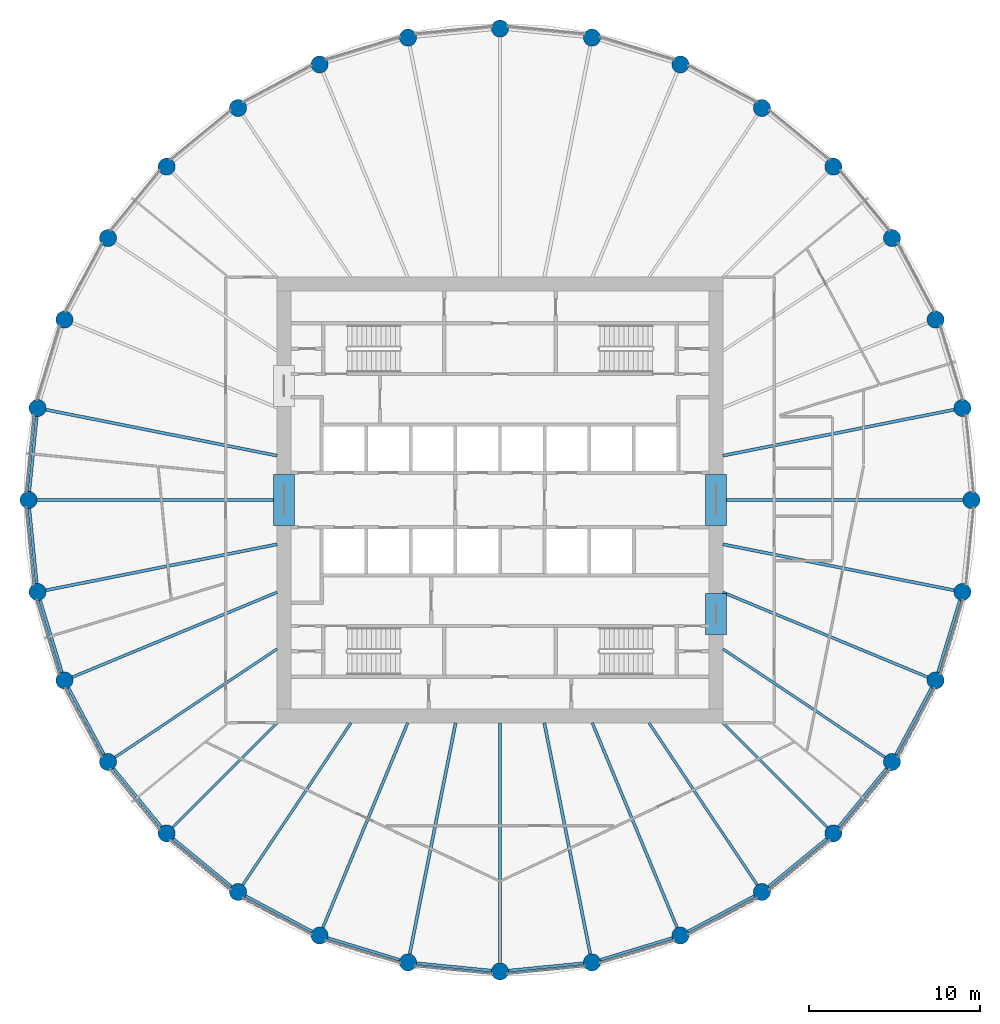
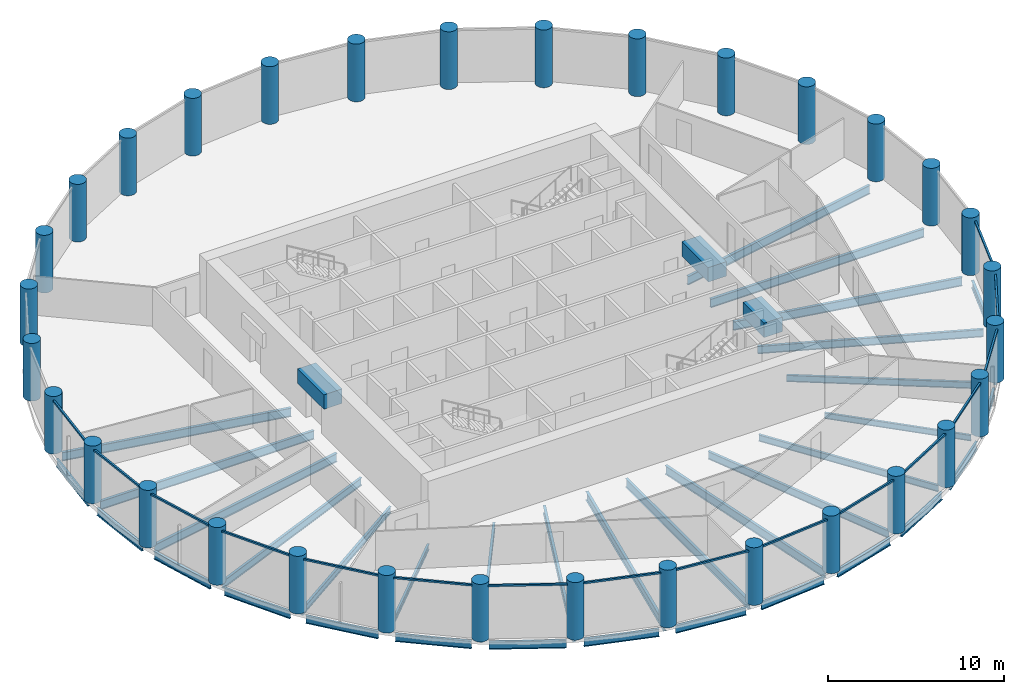
# One storey, part 1 of 8: 38 beams, 32 columns, 16 members, 16 elements without a shape of their own.
"""IFC4 building model written with IfcOpenShell, lengths in metres."""

from ifc_helpers import new_model, si_unit, direction, frame, origin, origin_2d, place, context, subcontext, project, spatial, rectangle, circle, i_section, extrude, material, material_profile, profile_set, type_object, element, aggregate, save


model = new_model("IFC4")

# Units and contexts
model_context = context("Model", 3, precision=1e-05, world=origin(), true_north=direction((0.0, 1.0)))
body_context = subcontext(model_context, "Body", "Model", "MODEL_VIEW")
ifc_project = project(units=[si_unit("LENGTHUNIT", "METRE"), si_unit("AREAUNIT", "SQUARE_METRE"), si_unit("VOLUMEUNIT", "CUBIC_METRE"), si_unit("PLANEANGLEUNIT", "RADIAN"), si_unit("MASSUNIT", "GRAM", prefix="KILO")], contexts=[model_context])

# Site, building, storey
site_placement = place(None, origin())
site = spatial("IfcSite", under=ifc_project, at=site_placement, CompositionType="ELEMENT")
building_placement = place(site_placement, origin())
building = spatial("IfcBuilding", under=site, at=building_placement, Name="Corvane Civic Tower", CompositionType="ELEMENT")
storey_placement = place(building_placement, frame((0.0, 0.0, 213.5)))
storey = spatial("IfcBuildingStorey", under=building, at=storey_placement, Name="L50", CompositionType="ELEMENT", Elevation=213.5)

# Columns
ifc_material_1 = material(Name="Concrete C60/75", Category="concrete")
ifc_material_profile_1 = material_profile(ifc_material_1, circle(Radius=0.5, at=origin_2d()), Name="COLUMN 1000")
ifc_profile_set_1 = profile_set([ifc_material_profile_1], Name="Concrete C60/75")
column_type = type_object("IfcColumnType", Name="RC COLUMN COLUMN 1000", PredefinedType="COLUMN", material=ifc_profile_set_1)
for number, where, z_axis, x_axis, name in (
    (1, (0.0, 27.5, 0.0), (0.0, 0.0, 1.0), (1.0, 0.0, 0.0), "COL-L50-D01"),
    (2, (5.364990234375, 26.9716796875, 0.0), (0.0, 0.0, 1.0), (1.0, 0.0, 0.0), "COL-L50-D02"),
    (3, (10.523681640625, 25.40673828125, 0.0), (0.0, 0.0, 1.0), (1.0, 0.0, 0.0), "COL-L50-D03"),
    (4, (15.278076171875, 22.865478515625, 0.0), (0.0, 0.0, 1.0), (1.0, 0.0, 0.0), "COL-L50-D04"),
    (5, (19.445556640625, 19.445556640625, 0.0), (0.0, 0.0, 1.0), (1.0, 0.0, 0.0), "COL-L50-D05"),
    (6, (22.865478515625, 15.278076171875, 0.0), (0.0, 0.0, 1.0), (1.0, 0.0, 0.0), "COL-L50-D06"),
    (7, (25.40673828125, 10.523681640625, 0.0), (0.0, 0.0, 1.0), (1.0, 0.0, 0.0), "COL-L50-D07"),
    (8, (26.9716796875, 5.364990234375, 0.0), (0.0, 0.0, 1.0), (1.0, 0.0, 0.0), "COL-L50-D08"),
    (9, (27.5, 0.0, 0.0), (0.0, 0.0, 1.0), (1.0, 0.0, 0.0), "COL-L50-D09"),
    (10, (26.9716796875, -5.364990234375, 0.0), (0.0, 0.0, 1.0), (1.0, 0.0, 0.0), "COL-L50-D10"),
    (11, (25.40673828125, -10.523681640625, 0.0), (0.0, 0.0, 1.0), (1.0, 0.0, 0.0), "COL-L50-D11"),
    (12, (22.865478515625, -15.278076171875, 0.0), (0.0, 0.0, 1.0), (1.0, 0.0, 0.0), "COL-L50-D12"),
    (13, (19.445556640625, -19.445556640625, 0.0), (0.0, 0.0, 1.0), (1.0, 0.0, 0.0), "COL-L50-D13"),
    (14, (15.278076171875, -22.865478515625, 0.0), (0.0, 0.0, 1.0), (1.0, 0.0, 0.0), "COL-L50-D14"),
    (15, (10.523681640625, -25.40673828125, 0.0), (0.0, 0.0, 1.0), (1.0, 0.0, 0.0), "COL-L50-D15"),
    (16, (5.364990234375, -26.9716796875, 0.0), (0.0, 0.0, 1.0), (1.0, 0.0, 0.0), "COL-L50-D16"),
    (17, (0.0, -27.5, 0.0), (0.0, 0.0, 1.0), (1.0, 0.0, 0.0), "COL-L50-D17"),
    (18, (-5.364990234375, -26.9716796875, 0.0), (0.0, 0.0, 1.0), (1.0, 0.0, 0.0), "COL-L50-D18"),
    (19, (-10.523681640625, -25.40673828125, 0.0), (0.0, 0.0, 1.0), (1.0, 0.0, 0.0), "COL-L50-D19"),
    (20, (-15.278076171875, -22.865478515625, 0.0), (0.0, 0.0, 1.0), (1.0, 0.0, 0.0), "COL-L50-D20"),
    (21, (-19.445556640625, -19.445556640625, 0.0), (0.0, 0.0, 1.0), (1.0, 0.0, 0.0), "COL-L50-D21"),
    (22, (-22.865478515625, -15.278076171875, 0.0), (0.0, 0.0, 1.0), (1.0, 0.0, 0.0), "COL-L50-D22"),
    (23, (-25.40673828125, -10.523681640625, 0.0), (0.0, 0.0, 1.0), (1.0, 0.0, 0.0), "COL-L50-D23"),
    (24, (-26.9716796875, -5.364990234375, 0.0), (0.0, 0.0, 1.0), (1.0, 0.0, 0.0), "COL-L50-D24"),
    (25, (-27.5, 0.0, 0.0), (0.0, 0.0, 1.0), (1.0, 0.0, 0.0), "COL-L50-D25"),
    (26, (-26.9716796875, 5.364990234375, 0.0), (0.0, 0.0, 1.0), (1.0, 0.0, 0.0), "COL-L50-D26"),
    (27, (-25.40673828125, 10.523681640625, 0.0), (0.0, 0.0, 1.0), (1.0, 0.0, 0.0), "COL-L50-D27"),
    (28, (-22.865478515625, 15.278076171875, 0.0), (0.0, 0.0, 1.0), (1.0, 0.0, 0.0), "COL-L50-D28"),
    (29, (-19.445556640625, 19.445556640625, 0.0), (0.0, 0.0, 1.0), (1.0, 0.0, 0.0), "COL-L50-D29"),
    (30, (-15.278076171875, 22.865478515625, 0.0), (0.0, 0.0, 1.0), (1.0, 0.0, 0.0), "COL-L50-D30"),
    (31, (-10.523681640625, 25.40673828125, 0.0), (0.0, 0.0, 1.0), (1.0, 0.0, 0.0), "COL-L50-D31"),
    (32, (-5.364990234375, 26.9716796875, 0.0), (0.0, 0.0, 1.0), (1.0, 0.0, 0.0), "COL-L50-D32"),
):
    element("IfcColumn", number, at=place(storey_placement, frame(where, z_axis=z_axis, x_axis=x_axis)), inside=storey, type_object=column_type, Name=name, PredefinedType="COLUMN", context=body_context, shape_type="SweptSolid", body=[
        extrude(circle(Radius=0.5, at=origin_2d()), origin(), (0.0, 0.0, 1.0), 4.0),
    ])

# Beams
ifc_material_2 = material(Name="Concrete C50/60", Category="concrete")
ifc_material_profile_2 = material_profile(ifc_material_2, rectangle(XDim=1.199951171875, YDim=1.0, at=origin_2d()), Name="COUPLING BEAM 1200X1000")
ifc_profile_set_2 = profile_set([ifc_material_profile_2], Name="Concrete C50/60")
beam_type_1 = type_object("IfcBeamType", Name="COUPLING BEAM COUPLING BEAM 1200X1000", PredefinedType="BEAM", material=ifc_profile_set_2)
for number, where, z_axis, x_axis, name in (
    (33, (-12.60009765625, -1.5, 2.60009765625), (0.0, 1.0, 0.0), (-1.0, 0.0, 0.0), "BM-L50-cpl-CW-LW"),
    (34, (12.60009765625, -1.5, 2.60009765625), (0.0, 1.0, 0.0), (-1.0, 0.0, 0.0), "BM-L50-cpl-CW-LE"),
):
    element("IfcBeam", number, at=place(storey_placement, frame(where, z_axis=z_axis, x_axis=x_axis)), inside=storey, type_object=beam_type_1, Name=name, PredefinedType="BEAM", context=body_context, shape_type="SweptSolid", body=[
        extrude(rectangle(XDim=1.199951171875, YDim=1.0, at=origin_2d()), origin(), (0.0, 0.0, 1.0), 3.0),
    ])
beam_1_placement = place(storey_placement, frame((12.60009765625, -7.85009765625, 2.60009765625), z_axis=(0.0, 1.0, 0.0), x_axis=(-1.0, 0.0, 0.0)))
element("IfcBeam", 35, at=beam_1_placement, inside=storey, type_object=beam_type_1, Name="BM-L50-cpl-CW-ES", PredefinedType="BEAM", context=body_context, shape_type="SweptSolid", body=[
    extrude(rectangle(XDim=1.199951171875, YDim=1.0, at=origin_2d()), origin(), (0.0, 0.0, 1.0), 2.400146484375),
])
ifc_material_3 = material(Name="Steel ASTM A992 Gr 50", Category="steel")
ifc_material_profile_3 = material_profile(ifc_material_3, i_section(OverallWidth=0.165771484375, OverallDepth=0.5283203125, WebThickness=0.009765625, FlangeThickness=0.013671875, at=origin_2d()), Name="W21X50")
ifc_profile_set_3 = profile_set([ifc_material_profile_3], Name="Steel ASTM A992 Gr 50")
beam_type_2 = type_object("IfcBeamType", Name="EDGE BEAM W21X50", PredefinedType="BEAM", material=ifc_profile_set_3)
beam_2_placement = place(storey_placement, frame((26.826416015625, -5.843505859375, -0.564208984375), z_axis=(-0.290254307888, -0.956949547653, 0.0), x_axis=(0.956949547653, -0.290254307888, 0.0)))
element("IfcBeam", 36, at=beam_2_placement, inside=storey, type_object=beam_type_2, Name="BM-L50-E10", PredefinedType="BEAM", context=body_context, shape_type="SweptSolid", body=[
    extrude(i_section(OverallWidth=0.165771484375, OverallDepth=0.5283203125, WebThickness=0.009765625, FlangeThickness=0.013671875, at=origin_2d()), origin(), (0.0, 0.0, 1.0), 4.390625),
])
for number, where, z_axis, x_axis, name in (
    (37, (25.171142578125, -10.964599609375, -0.564208984375), (-0.471422006704, -0.881907756852, 0.0), (0.881907756852, -0.471422006704, 0.0), "BM-L50-E11"),
    (38, (22.54833984375, -15.66455078125, -0.564208984375), (-0.634369433447, -0.773030026524, 0.0), (0.773030026524, -0.634369433447, 0.0), "BM-L50-E12"),
    (39, (19.05908203125, -19.7626953125, -0.564208984375), (-0.773030026524, -0.634369433447, 0.0), (0.634369433447, -0.773030026524, 0.0), "BM-L50-E13"),
    (40, (14.837158203125, -23.10107421875, -0.564208984375), (-0.881907756852, -0.471422006704, 0.0), (0.471422006704, -0.881907756852, 0.0), "BM-L50-E14"),
):
    element("IfcBeam", number, at=place(storey_placement, frame(where, z_axis=z_axis, x_axis=x_axis)), inside=storey, type_object=beam_type_2, Name=name, PredefinedType="BEAM", context=body_context, shape_type="SweptSolid", body=[
        extrude(i_section(OverallWidth=0.165771484375, OverallDepth=0.5283203125, WebThickness=0.009765625, FlangeThickness=0.013671875, at=origin_2d()), origin(), (0.0, 0.0, 1.0), 4.39111328125),
    ])
beam_3_placement = place(storey_placement, frame((10.045166015625, -25.552001953125, -0.564208984375), z_axis=(-0.956949547653, -0.290254307888, 0.0), x_axis=(0.290254307888, -0.956949547653, 0.0)))
element("IfcBeam", 41, at=beam_3_placement, inside=storey, type_object=beam_type_2, Name="BM-L50-E15", PredefinedType="BEAM", context=body_context, shape_type="SweptSolid", body=[
    extrude(i_section(OverallWidth=0.165771484375, OverallDepth=0.5283203125, WebThickness=0.009765625, FlangeThickness=0.013671875, at=origin_2d()), origin(), (0.0, 0.0, 1.0), 4.390625),
])
for number, where, z_axis, x_axis, name in (
    (42, (4.867431640625, -27.020751953125, -0.564208984375), (-0.995189593769, -0.097967711281, 0.0), (0.097967711281, -0.995189593769, 0.0), "BM-L50-E16"),
    (43, (-0.49755859375, -27.450927734375, -0.564208984375), (-0.995189593769, 0.097967711281, 0.0), (-0.097967711281, -0.995189593769, 0.0), "BM-L50-E17"),
):
    element("IfcBeam", number, at=place(storey_placement, frame(where, z_axis=z_axis, x_axis=x_axis)), inside=storey, type_object=beam_type_2, Name=name, PredefinedType="BEAM", context=body_context, shape_type="SweptSolid", body=[
        extrude(i_section(OverallWidth=0.165771484375, OverallDepth=0.5283203125, WebThickness=0.009765625, FlangeThickness=0.013671875, at=origin_2d()), origin(), (0.0, 0.0, 1.0), 4.39111328125),
    ])
beam_4_placement = place(storey_placement, frame((-5.843505859375, -26.826416015625, -0.564208984375), z_axis=(-0.956949547653, 0.290254307888, 0.0), x_axis=(-0.290254307888, -0.956949547653, 0.0)))
element("IfcBeam", 44, at=beam_4_placement, inside=storey, type_object=beam_type_2, Name="BM-L50-E18", PredefinedType="BEAM", context=body_context, shape_type="SweptSolid", body=[
    extrude(i_section(OverallWidth=0.165771484375, OverallDepth=0.5283203125, WebThickness=0.009765625, FlangeThickness=0.013671875, at=origin_2d()), origin(), (0.0, 0.0, 1.0), 4.390625),
])
for number, where, z_axis, x_axis, name in (
    (45, (-10.964599609375, -25.171142578125, -0.564208984375), (-0.881907756852, 0.471422006704, 0.0), (-0.471422006704, -0.881907756852, 0.0), "BM-L50-E19"),
    (46, (-15.66455078125, -22.54833984375, -0.564208984375), (-0.773030026524, 0.634369433447, 0.0), (-0.634369433447, -0.773030026524, 0.0), "BM-L50-E20"),
    (47, (-19.7626953125, -19.05908203125, -0.564208984375), (-0.634369433447, 0.773030026524, 0.0), (-0.773030026524, -0.634369433447, 0.0), "BM-L50-E21"),
    (48, (-23.10107421875, -14.837158203125, -0.564208984375), (-0.471422006704, 0.881907756852, 0.0), (-0.881907756852, -0.471422006704, 0.0), "BM-L50-E22"),
):
    element("IfcBeam", number, at=place(storey_placement, frame(where, z_axis=z_axis, x_axis=x_axis)), inside=storey, type_object=beam_type_2, Name=name, PredefinedType="BEAM", context=body_context, shape_type="SweptSolid", body=[
        extrude(i_section(OverallWidth=0.165771484375, OverallDepth=0.5283203125, WebThickness=0.009765625, FlangeThickness=0.013671875, at=origin_2d()), origin(), (0.0, 0.0, 1.0), 4.39111328125),
    ])
beam_5_placement = place(storey_placement, frame((-25.552001953125, -10.045166015625, -0.564208984375), z_axis=(-0.290254307888, 0.956949547653, 0.0), x_axis=(-0.956949547653, -0.290254307888, 0.0)))
element("IfcBeam", 49, at=beam_5_placement, inside=storey, type_object=beam_type_2, Name="BM-L50-E23", PredefinedType="BEAM", context=body_context, shape_type="SweptSolid", body=[
    extrude(i_section(OverallWidth=0.165771484375, OverallDepth=0.5283203125, WebThickness=0.009765625, FlangeThickness=0.013671875, at=origin_2d()), origin(), (0.0, 0.0, 1.0), 4.390625),
])
for number, where, z_axis, x_axis, name in (
    (50, (-27.020751953125, -4.867431640625, -0.564208984375), (-0.097967711281, 0.995189593769, 0.0), (-0.995189593769, -0.097967711281, 0.0), "BM-L50-E24"),
    (51, (-27.450927734375, 0.49755859375, -0.564208984375), (0.097967711281, 0.995189593769, 0.0), (-0.995189593769, 0.097967711281, 0.0), "BM-L50-E25"),
):
    element("IfcBeam", number, at=place(storey_placement, frame(where, z_axis=z_axis, x_axis=x_axis)), inside=storey, type_object=beam_type_2, Name=name, PredefinedType="BEAM", context=body_context, shape_type="SweptSolid", body=[
        extrude(i_section(OverallWidth=0.165771484375, OverallDepth=0.5283203125, WebThickness=0.009765625, FlangeThickness=0.013671875, at=origin_2d()), origin(), (0.0, 0.0, 1.0), 4.39111328125),
    ])
ifc_material_4 = material(Name="Steel ASTM A992 Gr 50", Category="steel")
ifc_material_profile_4 = material_profile(ifc_material_4, i_section(OverallWidth=0.140380859375, OverallDepth=0.40380859375, WebThickness=0.007080078125, FlangeThickness=0.01123046875, at=origin_2d()), Name="W16X31")
ifc_profile_set_4 = profile_set([ifc_material_profile_4], Name="Steel ASTM A992 Gr 50")
beam_type_3 = type_object("IfcBeamType", Name="FLOOR GIRDER W16X31", PredefinedType="BEAM", material=ifc_profile_set_4)
for number, where, z_axis, x_axis, name in (
    (52, (13.0, -13.0, -0.501953125), (0.707106781187, -0.707106781187, 0.0), (0.707106781187, 0.707106781187, 0.0), "BM-L50-G13"),
    (53, (-13.0, -13.0, -0.501953125), (-0.707106781187, -0.707106781187, 0.0), (0.707106781187, -0.707106781187, 0.0), "BM-L50-G21"),
):
    element("IfcBeam", number, at=place(storey_placement, frame(where, z_axis=z_axis, x_axis=x_axis)), inside=storey, type_object=beam_type_3, Name=name, PredefinedType="BEAM", context=body_context, shape_type="SweptSolid", body=[
        extrude(i_section(OverallWidth=0.140380859375, OverallDepth=0.40380859375, WebThickness=0.007080078125, FlangeThickness=0.01123046875, at=origin_2d()), origin(), (0.0, 0.0, 1.0), 8.614990234375),
    ])
ifc_material_5 = material(Name="Steel ASTM A992 Gr 50", Category="steel")
ifc_material_profile_5 = material_profile(ifc_material_5, i_section(OverallWidth=0.15283203125, OverallDepth=0.45458984375, WebThickness=0.008056640625, FlangeThickness=0.013427734375, at=origin_2d()), Name="W18X40")
ifc_profile_set_5 = profile_set([ifc_material_profile_5], Name="Steel ASTM A992 Gr 50")
beam_type_4 = type_object("IfcBeamType", Name="FLOOR GIRDER W18X40", PredefinedType="BEAM", material=ifc_profile_set_5)
for number, where, z_axis, x_axis, name in (
    (54, (13.0, -8.686279296875, -0.52734375), (0.831464872557, -0.555577326485, 0.0), (0.555577326485, 0.831464872557, 0.0), "BM-L50-G12"),
    (55, (8.686279296875, -13.0, -0.52734375), (0.555577326485, -0.831464872557, 0.0), (0.831464872557, 0.555577326485, 0.0), "BM-L50-G14"),
    (56, (-8.686279296875, -13.0, -0.52734375), (-0.555577326485, -0.831464872557, 0.0), (0.831464872557, -0.555577326485, 0.0), "BM-L50-G20"),
    (57, (-13.0, -8.686279296875, -0.52734375), (-0.831464872557, -0.555577326485, 0.0), (0.555577326485, -0.831464872557, 0.0), "BM-L50-G22"),
):
    element("IfcBeam", number, at=place(storey_placement, frame(where, z_axis=z_axis, x_axis=x_axis)), inside=storey, type_object=beam_type_4, Name=name, PredefinedType="BEAM", context=body_context, shape_type="SweptSolid", body=[
        extrude(i_section(OverallWidth=0.15283203125, OverallDepth=0.45458984375, WebThickness=0.008056640625, FlangeThickness=0.013427734375, at=origin_2d()), origin(), (0.0, 0.0, 1.0), 11.365234375),
    ])
ifc_material_6 = material(Name="Steel ASTM A992 Gr 50", Category="steel")
ifc_material_profile_6 = material_profile(ifc_material_6, i_section(OverallWidth=0.165771484375, OverallDepth=0.5283203125, WebThickness=0.009765625, FlangeThickness=0.013671875, at=origin_2d()), Name="W21X50")
ifc_profile_set_6 = profile_set([ifc_material_profile_6], Name="Steel ASTM A992 Gr 50")
beam_type_5 = type_object("IfcBeamType", Name="FLOOR GIRDER W21X50", PredefinedType="BEAM", material=ifc_profile_set_6)
for number, where, z_axis, x_axis, name in (
    (58, (13.0, -5.384765625, -0.564208984375), (0.923878282404, -0.382686450378, 0.0), (0.382686450378, 0.923878282404, 0.0), "BM-L50-G11"),
    (59, (5.384765625, -13.0, -0.564208984375), (0.382686450378, -0.923878282404, 0.0), (0.923878282404, 0.382686450378, 0.0), "BM-L50-G15"),
    (60, (-5.384765625, -13.0, -0.564208984375), (-0.382686450378, -0.923878282404, 0.0), (0.923878282404, -0.382686450378, 0.0), "BM-L50-G19"),
    (61, (-13.0, -5.384765625, -0.564208984375), (-0.923878282404, -0.382686450378, 0.0), (0.382686450378, -0.923878282404, 0.0), "BM-L50-G23"),
):
    element("IfcBeam", number, at=place(storey_placement, frame(where, z_axis=z_axis, x_axis=x_axis)), inside=storey, type_object=beam_type_5, Name=name, PredefinedType="BEAM", context=body_context, shape_type="SweptSolid", body=[
        extrude(i_section(OverallWidth=0.165771484375, OverallDepth=0.5283203125, WebThickness=0.009765625, FlangeThickness=0.013671875, at=origin_2d()), origin(), (0.0, 0.0, 1.0), 12.928955078125),
    ])
ifc_material_7 = material(Name="Steel ASTM A992 Gr 50", Category="steel")
ifc_material_profile_7 = material_profile(ifc_material_7, i_section(OverallWidth=0.177978515625, OverallDepth=0.599365234375, WebThickness=0.010009765625, FlangeThickness=0.012939453125, at=origin_2d()), Name="W24X55")
ifc_profile_set_7 = profile_set([ifc_material_profile_7], Name="Steel ASTM A992 Gr 50")
beam_type_6 = type_object("IfcBeamType", Name="FLOOR GIRDER W24X55", PredefinedType="BEAM", material=ifc_profile_set_7)
beam_6_placement = place(storey_placement, frame((13.0, 2.5859375, -0.599609375), z_axis=(0.980787802109, 0.195077644118, 0.0), x_axis=(-0.195077644118, 0.980787802109, 0.0)))
element("IfcBeam", 62, at=beam_6_placement, inside=storey, type_object=beam_type_6, Name="BM-L50-G08", PredefinedType="BEAM", context=body_context, shape_type="SweptSolid", body=[
    extrude(i_section(OverallWidth=0.177978515625, OverallDepth=0.599365234375, WebThickness=0.010009765625, FlangeThickness=0.012939453125, at=origin_2d()), origin(), (0.0, 0.0, 1.0), 13.745361328125),
])
beam_7_placement = place(storey_placement, frame((13.0, 0.0, -0.599609375), z_axis=(1.0, 0.0, 0.0), x_axis=(0.0, 1.0, 0.0)))
element("IfcBeam", 63, at=beam_7_placement, inside=storey, type_object=beam_type_6, Name="BM-L50-G09", PredefinedType="BEAM", context=body_context, shape_type="SweptSolid", body=[
    extrude(i_section(OverallWidth=0.177978515625, OverallDepth=0.599365234375, WebThickness=0.010009765625, FlangeThickness=0.012939453125, at=origin_2d()), origin(), (0.0, 0.0, 1.0), 14.0),
])
for number, where, z_axis, x_axis, name in (
    (64, (13.0, -2.5859375, -0.599609375), (0.980787802109, -0.195077644118, 0.0), (0.195077644118, 0.980787802109, 0.0), "BM-L50-G10"),
    (65, (2.5859375, -13.0, -0.599609375), (0.195077644118, -0.980787802109, 0.0), (0.980787802109, 0.195077644118, 0.0), "BM-L50-G16"),
):
    element("IfcBeam", number, at=place(storey_placement, frame(where, z_axis=z_axis, x_axis=x_axis)), inside=storey, type_object=beam_type_6, Name=name, PredefinedType="BEAM", context=body_context, shape_type="SweptSolid", body=[
        extrude(i_section(OverallWidth=0.177978515625, OverallDepth=0.599365234375, WebThickness=0.010009765625, FlangeThickness=0.012939453125, at=origin_2d()), origin(), (0.0, 0.0, 1.0), 13.745361328125),
    ])
beam_8_placement = place(storey_placement, frame((0.0, -13.0, -0.599609375), z_axis=(0.0, -1.0, 0.0), x_axis=(1.0, 0.0, 0.0)))
element("IfcBeam", 66, at=beam_8_placement, inside=storey, type_object=beam_type_6, Name="BM-L50-G17", PredefinedType="BEAM", context=body_context, shape_type="SweptSolid", body=[
    extrude(i_section(OverallWidth=0.177978515625, OverallDepth=0.599365234375, WebThickness=0.010009765625, FlangeThickness=0.012939453125, at=origin_2d()), origin(), (0.0, 0.0, 1.0), 14.0),
])
for number, where, z_axis, x_axis, name in (
    (67, (-2.5859375, -13.0, -0.599609375), (-0.195077644118, -0.980787802109, 0.0), (0.980787802109, -0.195077644118, 0.0), "BM-L50-G18"),
    (68, (-13.0, -2.5859375, -0.599609375), (-0.980787802109, -0.195077644118, 0.0), (0.195077644118, -0.980787802109, 0.0), "BM-L50-G24"),
):
    element("IfcBeam", number, at=place(storey_placement, frame(where, z_axis=z_axis, x_axis=x_axis)), inside=storey, type_object=beam_type_6, Name=name, PredefinedType="BEAM", context=body_context, shape_type="SweptSolid", body=[
        extrude(i_section(OverallWidth=0.177978515625, OverallDepth=0.599365234375, WebThickness=0.010009765625, FlangeThickness=0.012939453125, at=origin_2d()), origin(), (0.0, 0.0, 1.0), 13.745361328125),
    ])
beam_9_placement = place(storey_placement, frame((-13.0, 0.0, -0.599609375), z_axis=(-1.0, 0.0, 0.0), x_axis=(0.0, -1.0, 0.0)))
element("IfcBeam", 69, at=beam_9_placement, inside=storey, type_object=beam_type_6, Name="BM-L50-G25", PredefinedType="BEAM", context=body_context, shape_type="SweptSolid", body=[
    extrude(i_section(OverallWidth=0.177978515625, OverallDepth=0.599365234375, WebThickness=0.010009765625, FlangeThickness=0.012939453125, at=origin_2d()), origin(), (0.0, 0.0, 1.0), 14.0),
])
beam_10_placement = place(storey_placement, frame((-13.0, 2.5859375, -0.599609375), z_axis=(-0.980787802109, 0.195077644118, 0.0), x_axis=(-0.195077644118, -0.980787802109, 0.0)))
element("IfcBeam", 70, at=beam_10_placement, inside=storey, type_object=beam_type_6, Name="BM-L50-G26", PredefinedType="BEAM", context=body_context, shape_type="SweptSolid", body=[
    extrude(i_section(OverallWidth=0.177978515625, OverallDepth=0.599365234375, WebThickness=0.010009765625, FlangeThickness=0.012939453125, at=origin_2d()), origin(), (0.0, 0.0, 1.0), 13.745361328125),
])

# Curtain wall, member
ifc_material_8 = material(Name="Anodised aluminium bronze", Category="aluminium")
curtain_wall_type = type_object("IfcCurtainWallType", Name="TOWER CW-T2 STICK CURTAIN WALL", PredefinedType="NOTDEFINED", material=ifc_material_8)
curtain_wall_1_placement = place(storey_placement, origin())
curtain_wall_1 = element("IfcCurtainWall", 71, at=curtain_wall_1_placement, inside=storey, type_object=curtain_wall_type, Name="Curtain wall CW-T2 L50 bay 10", PredefinedType="NOTDEFINED")
ifc_material_9 = material(Name="Anodised aluminium bronze", Category="aluminium")
ifc_material_profile_8 = material_profile(ifc_material_9, rectangle(XDim=0.1201171875, YDim=0.1201171875, at=origin_2d()), Name="TOWER CW-T2 TRANSOM 120x120")
ifc_profile_set_8 = profile_set([ifc_material_profile_8], Name="Anodised aluminium bronze")
member_type = type_object("IfcMemberType", Name="TOWER CW-T2 TRANSOM 120x120", PredefinedType="USERDEFINED", material=ifc_profile_set_8)
member_1_placement = place(storey_placement, frame((27.016357421875, -5.8349609375, 3.68994140625), z_axis=(-0.2902818869, -0.956941182173, 0.0), x_axis=(0.956941182173, -0.2902818869, 0.0)))
member_1 = element("IfcMember", 72, at=member_1_placement, type_object=member_type, Name="Transom CW-T2 L50 10.1", ObjectType="TRANSOM", PredefinedType="USERDEFINED", context=body_context, shape_type="SweptSolid", body=[
    extrude(rectangle(XDim=0.1201171875, YDim=0.1201171875, at=origin_2d()), origin(), (0.0, 0.0, 1.0), 4.517333984375),
])
aggregate(curtain_wall_1, [member_1])

curtain_wall_2_placement = place(storey_placement, origin())
curtain_wall_2 = element("IfcCurtainWall", 73, at=curtain_wall_2_placement, inside=storey, type_object=curtain_wall_type, Name="Curtain wall CW-T2 L50 bay 11", PredefinedType="NOTDEFINED")
member_2_placement = place(storey_placement, frame((25.35888671875, -10.993408203125, 3.68994140625), z_axis=(-0.471390317183, -0.881924695689, 0.0), x_axis=(0.881924695689, -0.471390317183, 0.0)))
member_2 = element("IfcMember", 74, at=member_2_placement, type_object=member_type, Name="Transom CW-T2 L50 11.1", ObjectType="TRANSOM", PredefinedType="USERDEFINED", context=body_context, shape_type="SweptSolid", body=[
    extrude(rectangle(XDim=0.1201171875, YDim=0.1201171875, at=origin_2d()), origin(), (0.0, 0.0, 1.0), 4.517333984375),
])
aggregate(curtain_wall_2, [member_2])

curtain_wall_3_placement = place(storey_placement, origin())
curtain_wall_3 = element("IfcCurtainWall", 75, at=curtain_wall_3_placement, inside=storey, type_object=curtain_wall_type, Name="Curtain wall CW-T2 L50 bay 12", PredefinedType="NOTDEFINED")
member_3_placement = place(storey_placement, frame((22.726806640625, -15.7294921875, 3.68994140625), z_axis=(-0.634387834569, -0.773014925698, 0.0), x_axis=(0.773014925698, -0.634387834569, 0.0)))
member_3 = element("IfcMember", 76, at=member_3_placement, type_object=member_type, Name="Transom CW-T2 L50 12.1", ObjectType="TRANSOM", PredefinedType="USERDEFINED", context=body_context, shape_type="SweptSolid", body=[
    extrude(rectangle(XDim=0.1201171875, YDim=0.1201171875, at=origin_2d()), origin(), (0.0, 0.0, 1.0), 4.517333984375),
])
aggregate(curtain_wall_3, [member_3])

curtain_wall_4_placement = place(storey_placement, origin())
curtain_wall_4 = element("IfcCurtainWall", 77, at=curtain_wall_4_placement, inside=storey, type_object=curtain_wall_type, Name="Curtain wall CW-T2 L50 bay 13", PredefinedType="NOTDEFINED")
member_4_placement = place(storey_placement, frame((19.221435546875, -19.861083984375, 3.68994140625), z_axis=(-0.773014925698, -0.634387834569, 0.0), x_axis=(0.634387834569, -0.773014925698, 0.0)))
member_4 = element("IfcMember", 78, at=member_4_placement, type_object=member_type, Name="Transom CW-T2 L50 13.1", ObjectType="TRANSOM", PredefinedType="USERDEFINED", context=body_context, shape_type="SweptSolid", body=[
    extrude(rectangle(XDim=0.1201171875, YDim=0.1201171875, at=origin_2d()), origin(), (0.0, 0.0, 1.0), 4.517333984375),
])
aggregate(curtain_wall_4, [member_4])

curtain_wall_5_placement = place(storey_placement, origin())
curtain_wall_5 = element("IfcCurtainWall", 79, at=curtain_wall_5_placement, inside=storey, type_object=curtain_wall_type, Name="Curtain wall CW-T2 L50 bay 14", PredefinedType="NOTDEFINED")
member_5_placement = place(storey_placement, frame((14.977294921875, -23.2294921875, 3.68994140625), z_axis=(-0.881924695689, -0.471390317183, 0.0), x_axis=(0.471390317183, -0.881924695689, 0.0)))
member_5 = element("IfcMember", 80, at=member_5_placement, type_object=member_type, Name="Transom CW-T2 L50 14.1", ObjectType="TRANSOM", PredefinedType="USERDEFINED", context=body_context, shape_type="SweptSolid", body=[
    extrude(rectangle(XDim=0.1201171875, YDim=0.1201171875, at=origin_2d()), origin(), (0.0, 0.0, 1.0), 4.517333984375),
])
aggregate(curtain_wall_5, [member_5])

curtain_wall_6_placement = place(storey_placement, origin())
curtain_wall_6 = element("IfcCurtainWall", 81, at=curtain_wall_6_placement, inside=storey, type_object=curtain_wall_type, Name="Curtain wall CW-T2 L50 bay 15", PredefinedType="NOTDEFINED")
member_6_placement = place(storey_placement, frame((10.15771484375, -25.705078125, 3.68994140625), z_axis=(-0.956941182173, -0.2902818869, 0.0), x_axis=(0.2902818869, -0.956941182173, 0.0)))
member_6 = element("IfcMember", 82, at=member_6_placement, type_object=member_type, Name="Transom CW-T2 L50 15.1", ObjectType="TRANSOM", PredefinedType="USERDEFINED", context=body_context, shape_type="SweptSolid", body=[
    extrude(rectangle(XDim=0.1201171875, YDim=0.1201171875, at=origin_2d()), origin(), (0.0, 0.0, 1.0), 4.517333984375),
])
aggregate(curtain_wall_6, [member_6])

curtain_wall_7_placement = place(storey_placement, origin())
curtain_wall_7 = element("IfcCurtainWall", 83, at=curtain_wall_7_placement, inside=storey, type_object=curtain_wall_type, Name="Curtain wall CW-T2 L50 bay 16", PredefinedType="NOTDEFINED")
member_7_placement = place(storey_placement, frame((4.94775390625, -27.192626953125, 3.68994140625), z_axis=(-0.995182207386, -0.098042715701, 0.0), x_axis=(0.098042715701, -0.995182207386, 0.0)))
member_7 = element("IfcMember", 84, at=member_7_placement, type_object=member_type, Name="Transom CW-T2 L50 16.1", ObjectType="TRANSOM", PredefinedType="USERDEFINED", context=body_context, shape_type="SweptSolid", body=[
    extrude(rectangle(XDim=0.1201171875, YDim=0.1201171875, at=origin_2d()), origin(), (0.0, 0.0, 1.0), 4.51708984375),
])
aggregate(curtain_wall_7, [member_7])

curtain_wall_8_placement = place(storey_placement, origin())
curtain_wall_8 = element("IfcCurtainWall", 85, at=curtain_wall_8_placement, inside=storey, type_object=curtain_wall_type, Name="Curtain wall CW-T2 L50 bay 17", PredefinedType="NOTDEFINED")
member_8_placement = place(storey_placement, frame((-0.452392578125, -27.635498046875, 3.68994140625), z_axis=(-0.995182207386, 0.098042715701, 0.0), x_axis=(-0.098042715701, -0.995182207386, 0.0)))
member_8 = element("IfcMember", 86, at=member_8_placement, type_object=member_type, Name="Transom CW-T2 L50 17.1", ObjectType="TRANSOM", PredefinedType="USERDEFINED", context=body_context, shape_type="SweptSolid", body=[
    extrude(rectangle(XDim=0.1201171875, YDim=0.1201171875, at=origin_2d()), origin(), (0.0, 0.0, 1.0), 4.51708984375),
])
aggregate(curtain_wall_8, [member_8])

curtain_wall_9_placement = place(storey_placement, origin())
curtain_wall_9 = element("IfcCurtainWall", 87, at=curtain_wall_9_placement, inside=storey, type_object=curtain_wall_type, Name="Curtain wall CW-T2 L50 bay 18", PredefinedType="NOTDEFINED")
member_9_placement = place(storey_placement, frame((-5.8349609375, -27.016357421875, 3.68994140625), z_axis=(-0.956941182173, 0.2902818869, 0.0), x_axis=(-0.2902818869, -0.956941182173, 0.0)))
member_9 = element("IfcMember", 88, at=member_9_placement, type_object=member_type, Name="Transom CW-T2 L50 18.1", ObjectType="TRANSOM", PredefinedType="USERDEFINED", context=body_context, shape_type="SweptSolid", body=[
    extrude(rectangle(XDim=0.1201171875, YDim=0.1201171875, at=origin_2d()), origin(), (0.0, 0.0, 1.0), 4.517333984375),
])
aggregate(curtain_wall_9, [member_9])

curtain_wall_10_placement = place(storey_placement, origin())
curtain_wall_10 = element("IfcCurtainWall", 89, at=curtain_wall_10_placement, inside=storey, type_object=curtain_wall_type, Name="Curtain wall CW-T2 L50 bay 19", PredefinedType="NOTDEFINED")
member_10_placement = place(storey_placement, frame((-10.993408203125, -25.35888671875, 3.68994140625), z_axis=(-0.881924695689, 0.471390317183, 0.0), x_axis=(-0.471390317183, -0.881924695689, 0.0)))
member_10 = element("IfcMember", 90, at=member_10_placement, type_object=member_type, Name="Transom CW-T2 L50 19.1", ObjectType="TRANSOM", PredefinedType="USERDEFINED", context=body_context, shape_type="SweptSolid", body=[
    extrude(rectangle(XDim=0.1201171875, YDim=0.1201171875, at=origin_2d()), origin(), (0.0, 0.0, 1.0), 4.517333984375),
])
aggregate(curtain_wall_10, [member_10])

curtain_wall_11_placement = place(storey_placement, origin())
curtain_wall_11 = element("IfcCurtainWall", 91, at=curtain_wall_11_placement, inside=storey, type_object=curtain_wall_type, Name="Curtain wall CW-T2 L50 bay 20", PredefinedType="NOTDEFINED")
member_11_placement = place(storey_placement, frame((-15.7294921875, -22.726806640625, 3.68994140625), z_axis=(-0.773014925698, 0.634387834569, 0.0), x_axis=(-0.634387834569, -0.773014925698, 0.0)))
member_11 = element("IfcMember", 92, at=member_11_placement, type_object=member_type, Name="Transom CW-T2 L50 20.1", ObjectType="TRANSOM", PredefinedType="USERDEFINED", context=body_context, shape_type="SweptSolid", body=[
    extrude(rectangle(XDim=0.1201171875, YDim=0.1201171875, at=origin_2d()), origin(), (0.0, 0.0, 1.0), 4.517333984375),
])
aggregate(curtain_wall_11, [member_11])

curtain_wall_12_placement = place(storey_placement, origin())
curtain_wall_12 = element("IfcCurtainWall", 93, at=curtain_wall_12_placement, inside=storey, type_object=curtain_wall_type, Name="Curtain wall CW-T2 L50 bay 21", PredefinedType="NOTDEFINED")
member_12_placement = place(storey_placement, frame((-19.861083984375, -19.221435546875, 3.68994140625), z_axis=(-0.634387834569, 0.773014925698, 0.0), x_axis=(-0.773014925698, -0.634387834569, 0.0)))
member_12 = element("IfcMember", 94, at=member_12_placement, type_object=member_type, Name="Transom CW-T2 L50 21.1", ObjectType="TRANSOM", PredefinedType="USERDEFINED", context=body_context, shape_type="SweptSolid", body=[
    extrude(rectangle(XDim=0.1201171875, YDim=0.1201171875, at=origin_2d()), origin(), (0.0, 0.0, 1.0), 4.517333984375),
])
aggregate(curtain_wall_12, [member_12])

curtain_wall_13_placement = place(storey_placement, origin())
curtain_wall_13 = element("IfcCurtainWall", 95, at=curtain_wall_13_placement, inside=storey, type_object=curtain_wall_type, Name="Curtain wall CW-T2 L50 bay 22", PredefinedType="NOTDEFINED")
member_13_placement = place(storey_placement, frame((-23.2294921875, -14.977294921875, 3.68994140625), z_axis=(-0.471390317183, 0.881924695689, 0.0), x_axis=(-0.881924695689, -0.471390317183, 0.0)))
member_13 = element("IfcMember", 96, at=member_13_placement, type_object=member_type, Name="Transom CW-T2 L50 22.1", ObjectType="TRANSOM", PredefinedType="USERDEFINED", context=body_context, shape_type="SweptSolid", body=[
    extrude(rectangle(XDim=0.1201171875, YDim=0.1201171875, at=origin_2d()), origin(), (0.0, 0.0, 1.0), 4.517333984375),
])
aggregate(curtain_wall_13, [member_13])

curtain_wall_14_placement = place(storey_placement, origin())
curtain_wall_14 = element("IfcCurtainWall", 97, at=curtain_wall_14_placement, inside=storey, type_object=curtain_wall_type, Name="Curtain wall CW-T2 L50 bay 23", PredefinedType="NOTDEFINED")
member_14_placement = place(storey_placement, frame((-25.705078125, -10.15771484375, 3.68994140625), z_axis=(-0.2902818869, 0.956941182173, 0.0), x_axis=(-0.956941182173, -0.2902818869, 0.0)))
member_14 = element("IfcMember", 98, at=member_14_placement, type_object=member_type, Name="Transom CW-T2 L50 23.1", ObjectType="TRANSOM", PredefinedType="USERDEFINED", context=body_context, shape_type="SweptSolid", body=[
    extrude(rectangle(XDim=0.1201171875, YDim=0.1201171875, at=origin_2d()), origin(), (0.0, 0.0, 1.0), 4.517333984375),
])
aggregate(curtain_wall_14, [member_14])

curtain_wall_15_placement = place(storey_placement, origin())
curtain_wall_15 = element("IfcCurtainWall", 99, at=curtain_wall_15_placement, inside=storey, type_object=curtain_wall_type, Name="Curtain wall CW-T2 L50 bay 24", PredefinedType="NOTDEFINED")
member_15_placement = place(storey_placement, frame((-27.192626953125, -4.94775390625, 3.68994140625), z_axis=(-0.098042715701, 0.995182207386, 0.0), x_axis=(-0.995182207386, -0.098042715701, 0.0)))
member_15 = element("IfcMember", 100, at=member_15_placement, type_object=member_type, Name="Transom CW-T2 L50 24.1", ObjectType="TRANSOM", PredefinedType="USERDEFINED", context=body_context, shape_type="SweptSolid", body=[
    extrude(rectangle(XDim=0.1201171875, YDim=0.1201171875, at=origin_2d()), origin(), (0.0, 0.0, 1.0), 4.51708984375),
])
aggregate(curtain_wall_15, [member_15])

curtain_wall_16_placement = place(storey_placement, origin())
curtain_wall_16 = element("IfcCurtainWall", 101, at=curtain_wall_16_placement, inside=storey, type_object=curtain_wall_type, Name="Curtain wall CW-T2 L50 bay 25", PredefinedType="NOTDEFINED")
member_16_placement = place(storey_placement, frame((-27.635498046875, 0.452392578125, 3.68994140625), z_axis=(0.098042715701, 0.995182207386, 0.0), x_axis=(-0.995182207386, 0.098042715701, 0.0)))
member_16 = element("IfcMember", 102, at=member_16_placement, type_object=member_type, Name="Transom CW-T2 L50 25.1", ObjectType="TRANSOM", PredefinedType="USERDEFINED", context=body_context, shape_type="SweptSolid", body=[
    extrude(rectangle(XDim=0.1201171875, YDim=0.1201171875, at=origin_2d()), origin(), (0.0, 0.0, 1.0), 4.51708984375),
])
aggregate(curtain_wall_16, [member_16])

save(model, "model.ifc")
